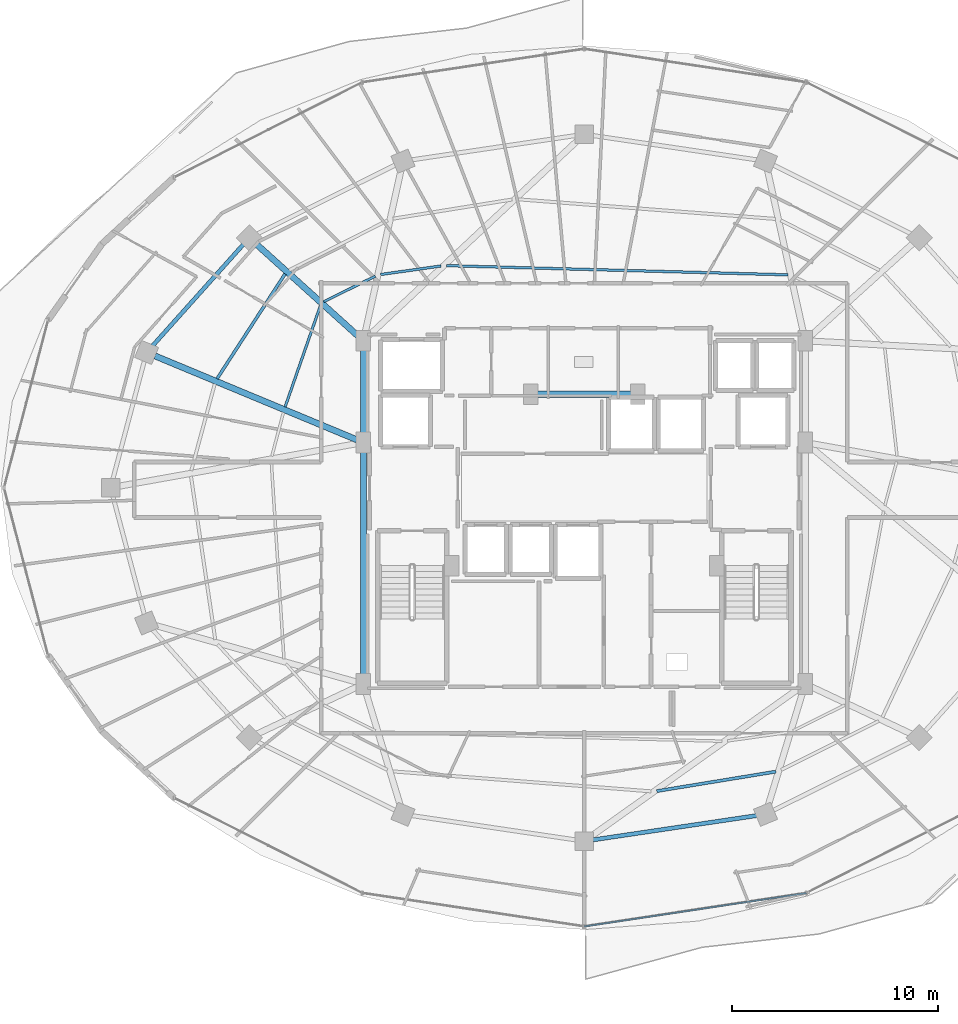
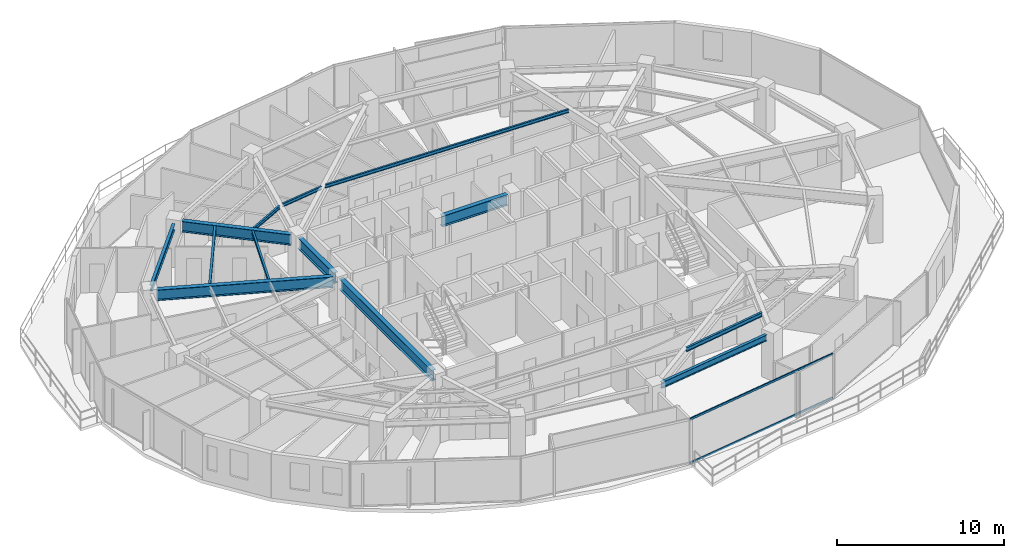
# One storey, part 10 of 33: 13 beams, 2 members, 1 element without a shape of its own.
"""IFC4 building model written with IfcOpenShell, lengths in metres."""

from ifc_helpers import new_model, si_unit, direction, frame, origin, origin_2d, place, context, subcontext, project, spatial, hollow_rectangle, i_section, extrude, material, material_profile, profile_set, type_object, element, aggregate, save


model = new_model("IFC4")

# Units and contexts
model_context = context("Model", 3, precision=1e-05, world=origin(), true_north=direction((0.0, 1.0)))
body_context = subcontext(model_context, "Body", "Model", "MODEL_VIEW")
ifc_project = project(units=[si_unit("LENGTHUNIT", "METRE"), si_unit("AREAUNIT", "SQUARE_METRE"), si_unit("VOLUMEUNIT", "CUBIC_METRE"), si_unit("PLANEANGLEUNIT", "RADIAN"), si_unit("MASSUNIT", "GRAM", prefix="KILO")], contexts=[model_context])

# Site, building, storey
site_placement = place(None, origin())
site = spatial("IfcSite", under=ifc_project, at=site_placement, CompositionType="ELEMENT")
building_placement = place(site_placement, origin())
building = spatial("IfcBuilding", under=site, at=building_placement, Name="Vorneva Point Tower", CompositionType="ELEMENT")
storey_placement = place(building_placement, frame((0.0, 0.0, 196.60009765625)))
storey = spatial("IfcBuildingStorey", under=building, at=storey_placement, Name="L53", CompositionType="ELEMENT", Elevation=196.60009765625)

# Beams
ifc_material_1 = material(Name="Steel S355", Category="steel")
ifc_material_profile_1 = material_profile(ifc_material_1, i_section(OverallWidth=0.300048828125, OverallDepth=0.7880859375, WebThickness=0.014404296875, FlangeThickness=0.02197265625, at=origin_2d()), Name="80Sh1")
ifc_profile_set_1 = profile_set([ifc_material_profile_1], Name="Steel S355")
beam_type_1 = type_object("IfcBeamType", Name="BM-GRD-80Sh1", PredefinedType="USERDEFINED", material=ifc_profile_set_1)
beam_1_placement = place(storey_placement, frame((22.026123046875, 37.86865234375, 2.845947265625), z_axis=(0.742089778537, -0.670300500217, 0.0), x_axis=(0.670300500217, 0.742089778537, 0.0)))
element("IfcBeam", 1, at=beam_1_placement, inside=storey, type_object=beam_type_1, Name="L53 Radial Primary Girder 07", ObjectType="GIRDER", PredefinedType="USERDEFINED", context=body_context, shape_type="SweptSolid", body=[
    extrude(i_section(OverallWidth=0.300048828125, OverallDepth=0.7880859375, WebThickness=0.014404296875, FlangeThickness=0.02197265625, at=origin_2d()), origin(), (0.0, 0.0, 1.0), 6.699462890625),
])
beam_2_placement = place(storey_placement, frame((17.109130859375, 32.4140625, 2.845947265625), z_axis=(0.923445067159, -0.383730645035, 0.0), x_axis=(0.383730645035, 0.923445067159, 0.0)))
element("IfcBeam", 2, at=beam_2_placement, inside=storey, type_object=beam_type_1, Name="L53 Radial Primary Girder 08", ObjectType="GIRDER", PredefinedType="USERDEFINED", context=body_context, shape_type="SweptSolid", body=[
    extrude(i_section(OverallWidth=0.300048828125, OverallDepth=0.7880859375, WebThickness=0.014404296875, FlangeThickness=0.02197265625, at=origin_2d()), origin(), (0.0, 0.0, 1.0), 10.6416015625),
])
beam_3_placement = place(storey_placement, frame((27.25, 16.77001953125, 2.845947265625), z_axis=(0.0, 1.0, 0.0), x_axis=(-1.0, 0.0, 0.0)))
element("IfcBeam", 3, at=beam_3_placement, inside=storey, type_object=beam_type_1, Name="L53 Core Tie Girder CT1", ObjectType="GIRDER", PredefinedType="USERDEFINED", context=body_context, shape_type="SweptSolid", body=[
    extrude(i_section(OverallWidth=0.300048828125, OverallDepth=0.7880859375, WebThickness=0.014404296875, FlangeThickness=0.02197265625, at=origin_2d()), origin(), (0.0, 0.0, 1.0), 11.10986328125),
])
beam_4_placement = place(storey_placement, frame((27.25, 28.52001953125, 2.845947265625), z_axis=(0.0, 1.0, 0.0), x_axis=(-1.0, 0.0, 0.0)))
element("IfcBeam", 4, at=beam_4_placement, inside=storey, type_object=beam_type_1, Name="L53 Core Tie Girder CT2", ObjectType="GIRDER", PredefinedType="USERDEFINED", context=body_context, shape_type="SweptSolid", body=[
    extrude(i_section(OverallWidth=0.300048828125, OverallDepth=0.7880859375, WebThickness=0.014404296875, FlangeThickness=0.02197265625, at=origin_2d()), origin(), (0.0, 0.0, 1.0), 4.31005859375),
])
beam_5_placement = place(storey_placement, frame((35.719970703125, 30.550048828125, 2.845947265625), z_axis=(1.0, 0.0, 0.0), x_axis=(0.0, 1.0, 0.0)))
element("IfcBeam", 5, at=beam_5_placement, inside=storey, type_object=beam_type_1, Name="L53 Core Tie Girder CT8", ObjectType="GIRDER", PredefinedType="USERDEFINED", context=body_context, shape_type="SweptSolid", body=[
    extrude(i_section(OverallWidth=0.300048828125, OverallDepth=0.7880859375, WebThickness=0.014404296875, FlangeThickness=0.02197265625, at=origin_2d()), origin(), (0.0, 0.0, 1.0), 4.56005859375),
])
ifc_material_profile_2 = material_profile(ifc_material_1, i_section(OverallWidth=0.1240234375, OverallDepth=0.248046875, WebThickness=0.0048828125, FlangeThickness=0.008056640625, at=origin_2d()), Name="25B1")
ifc_profile_set_2 = profile_set([ifc_material_profile_2], Name="Steel S355")
beam_type_2 = type_object("IfcBeamType", Name="BM-JST-25B1", PredefinedType="JOIST", material=ifc_profile_set_2)
beam_6_placement = place(storey_placement, frame((47.904541015625, 36.35888671875, 3.115966796875), z_axis=(-0.999638918345, 0.026870670432, 0.0), x_axis=(-0.026870670432, -0.999638918345, 0.0)))
element("IfcBeam", 6, at=beam_6_placement, inside=storey, type_object=beam_type_2, Name="L53 Secondary Floor Beam 2.04", PredefinedType="JOIST", context=body_context, shape_type="SweptSolid", body=[
    extrude(i_section(OverallWidth=0.1240234375, OverallDepth=0.248046875, WebThickness=0.0048828125, FlangeThickness=0.008056640625, at=origin_2d()), origin(), (0.0, 0.0, 1.0), 16.60888671875),
])
beam_7_placement = place(storey_placement, frame((31.027099609375, 36.78955078125, 3.115966796875), z_axis=(-0.990136526525, -0.140105884393, 0.0), x_axis=(0.140105884393, -0.990136526525, 0.0)))
element("IfcBeam", 7, at=beam_7_placement, inside=storey, type_object=beam_type_2, Name="L53 Secondary Floor Beam 2.05", PredefinedType="JOIST", context=body_context, shape_type="SweptSolid", body=[
    extrude(i_section(OverallWidth=0.1240234375, OverallDepth=0.248046875, WebThickness=0.0048828125, FlangeThickness=0.008056640625, at=origin_2d()), origin(), (0.0, 0.0, 1.0), 2.96240234375),
])
beam_8_placement = place(storey_placement, frame((27.833740234375, 36.2939453125, 3.115966796875), z_axis=(-0.896290822353, -0.443466753845, 0.0), x_axis=(0.443466753845, -0.896290822353, 0.0)))
element("IfcBeam", 8, at=beam_8_placement, inside=storey, type_object=beam_type_2, Name="L53 Secondary Floor Beam 2.06", PredefinedType="JOIST", context=body_context, shape_type="SweptSolid", body=[
    extrude(i_section(OverallWidth=0.1240234375, OverallDepth=0.248046875, WebThickness=0.0048828125, FlangeThickness=0.008056640625, at=origin_2d()), origin(), (0.0, 0.0, 1.0), 2.791748046875),
])
beam_9_placement = place(storey_placement, frame((25.16259765625, 34.8642578125, 3.115966796875), z_axis=(-0.329040775193, -0.944315714293, 0.0), x_axis=(0.944315714293, -0.329040775193, 0.0)))
element("IfcBeam", 9, at=beam_9_placement, inside=storey, type_object=beam_type_2, Name="L53 Secondary Floor Beam 2.07", PredefinedType="JOIST", context=body_context, shape_type="SweptSolid", body=[
    extrude(i_section(OverallWidth=0.1240234375, OverallDepth=0.248046875, WebThickness=0.0048828125, FlangeThickness=0.008056640625, at=origin_2d()), origin(), (0.0, 0.0, 1.0), 5.224365234375),
])
ifc_material_profile_3 = material_profile(ifc_material_1, i_section(OverallWidth=0.14892578125, OverallDepth=0.298095703125, WebThickness=0.005615234375, FlangeThickness=0.008056640625, at=origin_2d()), Name="30B1")
ifc_profile_set_3 = profile_set([ifc_material_profile_3], Name="Steel S355")
beam_type_3 = type_object("IfcBeamType", Name="BM-JST-30B1", PredefinedType="JOIST", material=ifc_profile_set_3)
beam_10_placement = place(storey_placement, frame((23.4423828125, 36.405517578125, 3.0908203125), z_axis=(-0.544354543714, -0.83885525017, 0.0), x_axis=(0.83885525017, -0.544354543714, 0.0)))
element("IfcBeam", 10, at=beam_10_placement, inside=storey, type_object=beam_type_3, Name="L53 Secondary Floor Beam 1.07", PredefinedType="JOIST", context=body_context, shape_type="SweptSolid", body=[
    extrude(i_section(OverallWidth=0.14892578125, OverallDepth=0.298095703125, WebThickness=0.005615234375, FlangeThickness=0.008056640625, at=origin_2d()), origin(), (0.0, 0.0, 1.0), 6.080810546875),
])
beam_11_placement = place(storey_placement, frame((41.52783203125, 11.236083984375, 3.0908203125), z_axis=(0.986862894909, 0.161559978498, 0.0), x_axis=(-0.161559978498, 0.986862894909, 0.0)))
element("IfcBeam", 11, at=beam_11_placement, inside=storey, type_object=beam_type_3, Name="L53 Secondary Floor Beam 1.13", PredefinedType="JOIST", context=body_context, shape_type="SweptSolid", body=[
    extrude(i_section(OverallWidth=0.14892578125, OverallDepth=0.298095703125, WebThickness=0.005615234375, FlangeThickness=0.008056640625, at=origin_2d()), origin(), (0.0, 0.0, 1.0), 5.872314453125),
])
ifc_material_profile_4 = material_profile(ifc_material_1, i_section(OverallWidth=0.198974609375, OverallDepth=0.446044921875, WebThickness=0.008056640625, FlangeThickness=0.011962890625, at=origin_2d()), Name="45B1")
ifc_profile_set_4 = profile_set([ifc_material_profile_4], Name="Steel S355")
beam_type_4 = type_object("IfcBeamType", Name="BM-SPN-45B1", PredefinedType="SPANDREL", material=ifc_profile_set_4)
beam_12_placement = place(storey_placement, frame((21.410888671875, 37.838134765625, 3.016845703125), z_axis=(-0.66706970547, -0.744995307397, 0.0), x_axis=(0.744995307397, -0.66706970547, 0.0)))
element("IfcBeam", 12, at=beam_12_placement, inside=storey, type_object=beam_type_4, Name="L53 Perimeter Spandrel Ring Beam 07", PredefinedType="SPANDREL", context=body_context, shape_type="SweptSolid", body=[
    extrude(i_section(OverallWidth=0.198974609375, OverallDepth=0.446044921875, WebThickness=0.008056640625, FlangeThickness=0.011962890625, at=origin_2d()), origin(), (0.0, 0.0, 1.0), 6.6201171875),
])
beam_13_placement = place(storey_placement, frame((38.430419921875, 8.864013671875, 3.016845703125), z_axis=(0.989165476332, 0.146804837907, 0.0), x_axis=(-0.146804837907, 0.989165476332, 0.0)))
element("IfcBeam", 13, at=beam_13_placement, inside=storey, type_object=beam_type_4, Name="L53 Perimeter Spandrel Ring Beam 13", PredefinedType="SPANDREL", context=body_context, shape_type="SweptSolid", body=[
    extrude(i_section(OverallWidth=0.198974609375, OverallDepth=0.446044921875, WebThickness=0.008056640625, FlangeThickness=0.011962890625, at=origin_2d()), origin(), (0.0, 0.0, 1.0), 8.04736328125),
])

# Curtain wall, members
ifc_material_2 = material(Name="Pale anodised aluminium", Category="aluminium")
curtain_wall_type = type_object("IfcCurtainWallType", Name="CW-RES-SYS", PredefinedType="NOTDEFINED", material=ifc_material_2)
curtain_wall_placement = place(storey_placement, origin())
curtain_wall = element("IfcCurtainWall", 14, at=curtain_wall_placement, inside=storey, type_object=curtain_wall_type, Name="L53 Unitised Curtain Wall CW-L53-R04", PredefinedType="NOTDEFINED")
ifc_material_profile_5 = material_profile(ifc_material_2, hollow_rectangle(XDim=0.074951171875, YDim=0.14990234375, WallThickness=0.00390625, at=origin_2d()), Name="AL-TRN 150x75x4")
ifc_profile_set_5 = profile_set([ifc_material_profile_5], Name="Pale anodised aluminium")
member_type = type_object("IfcMemberType", Name="CW-TRN-150", PredefinedType="USERDEFINED", material=ifc_profile_set_5)
member_1_placement = place(storey_placement, frame((38.0, 4.64990234375, 0.02001953125), z_axis=(0.988872333273, 0.148766624239, 0.0), x_axis=(-0.148766624239, 0.988872333273, 0.0)))
member_1 = element("IfcMember", 15, at=member_1_placement, type_object=member_type, Name="CW-L53-R04 Transom 03.1", ObjectType="TRANSOM", PredefinedType="USERDEFINED", context=body_context, shape_type="SweptSolid", body=[
    extrude(hollow_rectangle(XDim=0.074951171875, YDim=0.14990234375, WallThickness=0.00390625, at=origin_2d()), origin(), (0.0, 0.0, 1.0), 10.9248046875),
])
member_2_placement = place(storey_placement, frame((38.0, 4.64990234375, 3.219970703125), z_axis=(0.988872333273, 0.148766624239, 0.0), x_axis=(-0.148766624239, 0.988872333273, 0.0)))
member_2 = element("IfcMember", 16, at=member_2_placement, type_object=member_type, Name="CW-L53-R04 Transom 03.2", ObjectType="TRANSOM", PredefinedType="USERDEFINED", context=body_context, shape_type="SweptSolid", body=[
    extrude(hollow_rectangle(XDim=0.074951171875, YDim=0.14990234375, WallThickness=0.00390625, at=origin_2d()), origin(), (0.0, 0.0, 1.0), 10.9248046875),
])
aggregate(curtain_wall, [member_1, member_2])

save(model, "model.ifc")
